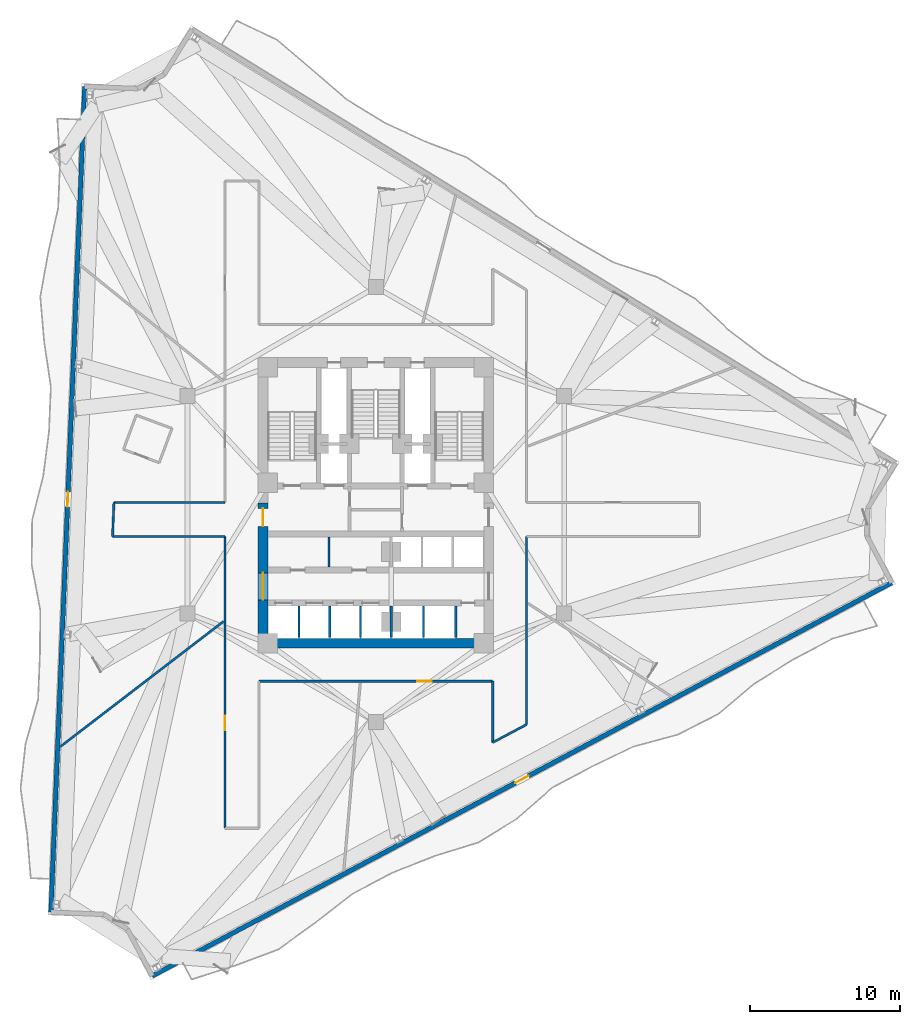
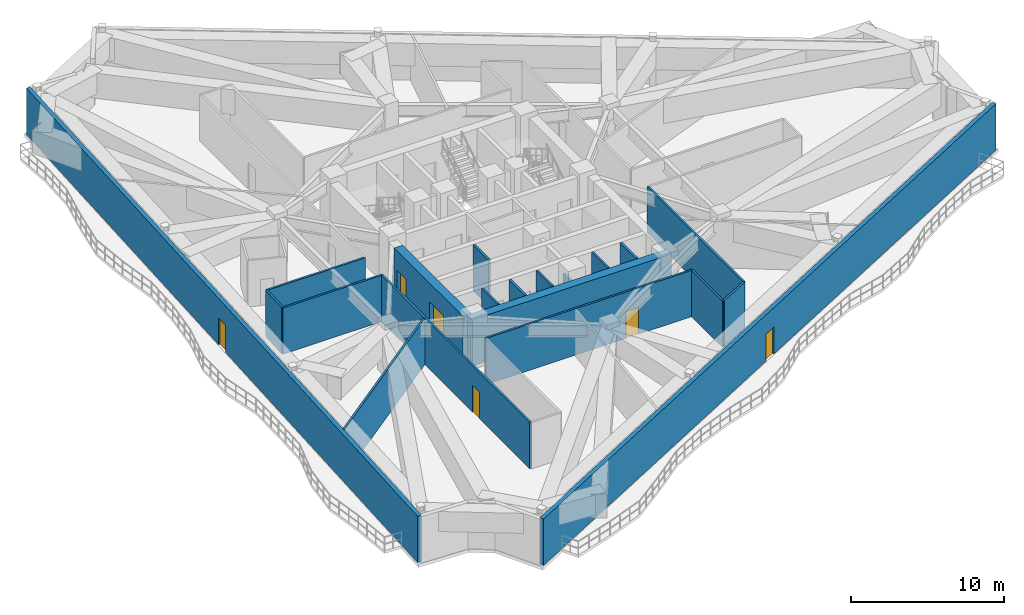
# One storey, part 8 of 14: 20 walls, 6 doors, 6 openings.
"""IFC4 building model written with IfcOpenShell, lengths in metres."""

from ifc_helpers import new_model, si_unit, direction, frame, frame_2d, origin, place, context, subcontext, project, spatial, rectangle, extrude, material, layer, layer_set, type_object, element, fill, save


model = new_model("IFC4")

# Units and contexts
model_context = context("Model", 3, precision=1e-05, world=origin(), true_north=direction((0.0, 1.0)))
body_context = subcontext(model_context, "Body", "Model", "MODEL_VIEW")
ifc_project = project(units=[si_unit("LENGTHUNIT", "METRE"), si_unit("AREAUNIT", "SQUARE_METRE"), si_unit("VOLUMEUNIT", "CUBIC_METRE"), si_unit("PLANEANGLEUNIT", "RADIAN"), si_unit("MASSUNIT", "GRAM", prefix="KILO")], contexts=[model_context])

# Site, building, storey
site_placement = place(None, origin())
site = spatial("IfcSite", under=ifc_project, at=site_placement, CompositionType="ELEMENT")
building_placement = place(site_placement, origin())
building = spatial("IfcBuilding", under=site, at=building_placement, Name="Apsidion Concourse Tower", CompositionType="ELEMENT")
storey_placement = place(building_placement, frame((0.0, 0.0, 190.10009765625)))
storey = spatial("IfcBuildingStorey", under=building, at=storey_placement, Name="L44", CompositionType="ELEMENT", Elevation=190.10009765625)

# Wall, opening, door
ifc_material_1 = material(Name="Precast concrete C40/50", Category="concrete")
ifc_layer_1 = layer(ifc_material_1, 0.300048828125)
ifc_layer_set_1 = layer_set([ifc_layer_1], Name="Precast concrete C40/50")
wall_type_1 = type_object("IfcWallType", Name="WL-EXT-300", PredefinedType="STANDARD", material=ifc_layer_set_1)
wall_1_placement = place(storey_placement, frame((34.398193359375, -5.216796875, 0.0), z_axis=(0.0, 0.0, 1.0), x_axis=(-0.88294811928, -0.469470572731, 0.0)))
wall_1 = element("IfcWall", 1, at=wall_1_placement, inside=storey, type_object=wall_type_1, Name="L44 Precast Stone Facade Wall 05", PredefinedType="STANDARD", context=body_context, shape_type="SweptSolid", body=[
    extrude(rectangle(XDim=55.845458984375, YDim=0.300048828125, at=frame_2d((27.9228515625, 0.0))), origin(), (0.0, 0.0, 1.0), 3.699951171875),
])
opening_1_placement = place(wall_1_placement, frame((27.422607421875, 0.0, 0.0)))
opening_1 = element("IfcOpeningElement", 2, at=opening_1_placement, cuts=wall_1, Name="Opening D-T1R", PredefinedType="OPENING", context=body_context, shape_type="SweptSolid", body=[
    extrude(rectangle(XDim=1.0, YDim=2.14990234375, at=frame_2d((0.5, 1.074951171875))), frame((0.0, 0.16015625, 0.0), z_axis=(0.0, -1.0, 0.0), x_axis=(1.0, 0.0, 0.0)), (0.0, 0.0, 1.0), 0.320068359375),
])
ifc_material_2 = material(Name="Anodised aluminium EN AW-6063 T6", Category="aluminium")
door_type_1 = type_object("IfcDoorType", Name="DR-TER-1022R", OperationType="SINGLE_SWING_RIGHT", PredefinedType="DOOR", material=ifc_material_2)
door_1_placement = place(opening_1_placement, origin())
door_1 = element("IfcDoor", 3, at=door_1_placement, inside=storey, type_object=door_type_1, Name="L44 Balcony Access Door 2", OperationType="SINGLE_SWING_RIGHT", OverallHeight=2.14990234375, OverallWidth=1.0, PredefinedType="DOOR", context=body_context, shape_type="SweptSolid", body=[
    extrude(rectangle(XDim=1.0, YDim=2.14990234375, at=frame_2d((0.5, 1.074951171875))), frame((0.0, 0.02490234375, 0.0), z_axis=(0.0, -1.0, 0.0), x_axis=(1.0, 0.0, 0.0)), (0.0, 0.0, 1.0), 0.050048828125),
])
fill(opening_1, door_1)

wall_2_placement = place(storey_placement, frame((-21.66748046875, -27.184326171875, 0.0), z_axis=(0.0, 0.0, 1.0), x_axis=(0.040813869681, 0.999166766882, 0.0)))
wall_2 = element("IfcWall", 4, at=wall_2_placement, inside=storey, type_object=wall_type_1, Name="L44 Precast Stone Facade Wall 09", PredefinedType="STANDARD", context=body_context, shape_type="SweptSolid", body=[
    extrude(rectangle(XDim=55.1103515625, YDim=0.300048828125, at=frame_2d((27.55517578125, 0.0))), origin(), (0.0, 0.0, 1.0), 3.699951171875),
])
opening_2_placement = place(wall_2_placement, frame((27.055419921875, 0.0, 0.0)))
opening_2 = element("IfcOpeningElement", 5, at=opening_2_placement, cuts=wall_2, Name="Opening D-T1L", PredefinedType="OPENING", context=body_context, shape_type="SweptSolid", body=[
    extrude(rectangle(XDim=1.0, YDim=2.14990234375, at=frame_2d((0.5, 1.074951171875))), frame((0.0, 0.16015625, 0.0), z_axis=(0.0, -1.0, 0.0), x_axis=(1.0, 0.0, 0.0)), (0.0, 0.0, 1.0), 0.320068359375),
])
door_type_2 = type_object("IfcDoorType", Name="DR-TER-1022L", OperationType="SINGLE_SWING_LEFT", PredefinedType="DOOR", material=ifc_material_2)
door_2_placement = place(opening_2_placement, origin())
door_2 = element("IfcDoor", 6, at=door_2_placement, inside=storey, type_object=door_type_2, Name="L44 Balcony Access Door 1", OperationType="SINGLE_SWING_LEFT", OverallHeight=2.14990234375, OverallWidth=1.0, PredefinedType="DOOR", context=body_context, shape_type="SweptSolid", body=[
    extrude(rectangle(XDim=1.0, YDim=2.14990234375, at=frame_2d((0.5, 1.074951171875))), frame((0.0, 0.02490234375, 0.0), z_axis=(0.0, -1.0, 0.0), x_axis=(1.0, 0.0, 0.0)), (0.0, 0.0, 1.0), 0.050048828125),
])
fill(opening_2, door_2)

# Walls
ifc_material_3 = material(Name="Gypsum plasterboard partition")
ifc_layer_2 = layer(ifc_material_3, 0.14990234375)
ifc_layer_set_2 = layer_set([ifc_layer_2], Name="Gypsum plasterboard partition")
wall_type_2 = type_object("IfcWallType", Name="WL-INT-PAR-150", PredefinedType="PARTITIONING", material=ifc_layer_set_2)
wall_3_placement = place(storey_placement, frame((-3.1201171875, -4.179931640625, 0.0), z_axis=(0.0, 0.0, 1.0), x_axis=(0.0, 1.0, 0.0)))
element("IfcWall", 7, at=wall_3_placement, inside=storey, type_object=wall_type_2, Name="L44 Interior Partition WL-L44-B1RV1", PredefinedType="PARTITIONING", context=body_context, shape_type="SweptSolid", body=[
    extrude(rectangle(XDim=2.030029296875, YDim=0.14990234375, at=frame_2d((1.01513671875, 0.0))), origin(), (0.0, 0.0, 1.0), 3.699951171875),
])
for number, where, z_axis, x_axis, name in (
    (8, (-5.125, -8.85009765625, 0.0), (0.0, 0.0, 1.0), (0.0, 1.0, 0.0), "L44 Interior Partition WL-L44-B2DIV-1"),
    (9, (-3.074951171875, -8.85009765625, 0.0), (0.0, 0.0, 1.0), (0.0, 1.0, 0.0), "L44 Interior Partition WL-L44-B2DIV-2"),
    (10, (-1.02490234375, -8.85009765625, 0.0), (0.0, 0.0, 1.0), (0.0, 1.0, 0.0), "L44 Interior Partition WL-L44-B2DIV-3"),
    (11, (3.175048828125, -8.85009765625, 0.0), (0.0, 0.0, 1.0), (0.0, 1.0, 0.0), "L44 Interior Partition WL-L44-SHDIV-1"),
):
    element("IfcWall", number, at=place(storey_placement, frame(where, z_axis=z_axis, x_axis=x_axis)), inside=storey, type_object=wall_type_2, Name=name, PredefinedType="PARTITIONING", context=body_context, shape_type="SweptSolid", body=[
        extrude(rectangle(XDim=2.080078125, YDim=0.14990234375, at=frame_2d((1.0400390625, 0.0))), origin(), (0.0, 0.0, 1.0), 3.699951171875),
    ])
wall_4_placement = place(storey_placement, frame((10.050048828125, -14.6689453125, 0.0), z_axis=(0.0, 0.0, 1.0), x_axis=(-0.88294894539, -0.469469019035, 0.0)))
element("IfcWall", 12, at=wall_4_placement, inside=storey, type_object=wall_type_2, Name="L44 Interior Partition WL-L44-CORR-01", PredefinedType="PARTITIONING", context=body_context, shape_type="SweptSolid", body=[
    extrude(rectangle(XDim=2.5595703125, YDim=0.14990234375, at=frame_2d((1.27978515625, 0.0))), origin(), (0.0, 0.0, 1.0), 3.699951171875),
])
wall_5_placement = place(storey_placement, frame((7.7900390625, -15.87060546875, 0.0), z_axis=(0.0, 0.0, 1.0), x_axis=(0.0, 1.0, 0.0)))
element("IfcWall", 13, at=wall_5_placement, inside=storey, type_object=wall_type_2, Name="L44 Interior Partition WL-L44-CORR-02", PredefinedType="PARTITIONING", context=body_context, shape_type="SweptSolid", body=[
    extrude(rectangle(XDim=4.095703125, YDim=0.14990234375, at=frame_2d((2.0478515625, 0.0))), origin(), (0.0, 0.0, 1.0), 3.699951171875),
])

# Wall, opening, door
wall_6_placement = place(storey_placement, frame((7.7900390625, -11.77490234375, 0.0), z_axis=(0.0, 0.0, 1.0), x_axis=(-1.0, 0.0, 0.0)))
wall_6 = element("IfcWall", 14, at=wall_6_placement, inside=storey, type_object=wall_type_2, Name="L44 Interior Partition WL-L44-CORR-03", PredefinedType="PARTITIONING", context=body_context, shape_type="SweptSolid", body=[
    extrude(rectangle(XDim=15.580078125, YDim=0.14990234375, at=frame_2d((7.7900390625, 0.0))), origin(), (0.0, 0.0, 1.0), 3.699951171875),
])
opening_3_placement = place(wall_6_placement, frame((4.066650390625, 0.0, 0.0)))
opening_3 = element("IfcOpeningElement", 15, at=opening_3_placement, cuts=wall_6, Name="Opening D-01L", PredefinedType="OPENING", context=body_context, shape_type="SweptSolid", body=[
    extrude(rectangle(XDim=0.949951171875, YDim=2.14990234375, at=frame_2d((0.47509765625, 1.074951171875))), frame((0.0, 0.0849609375, 0.0), z_axis=(0.0, -1.0, 0.0), x_axis=(1.0, 0.0, 0.0)), (0.0, 0.0, 1.0), 0.169921875),
])
ifc_material_4 = material(Name="Brushed stainless steel 316", Category="steel")
door_type_3 = type_object("IfcDoorType", Name="DR-INT-D01L", OperationType="SINGLE_SWING_LEFT", PredefinedType="DOOR", material=ifc_material_4)
door_3_placement = place(opening_3_placement, origin())
door_3 = element("IfcDoor", 16, at=door_3_placement, inside=storey, type_object=door_type_3, Name="L44 Corridor Entry Door 03", OperationType="SINGLE_SWING_LEFT", OverallHeight=2.14990234375, OverallWidth=0.949951171875, PredefinedType="DOOR", context=body_context, shape_type="SweptSolid", body=[
    extrude(rectangle(XDim=0.949951171875, YDim=2.14990234375, at=frame_2d((0.47509765625, 1.074951171875))), frame((0.0, 0.02490234375, 0.0), z_axis=(0.0, -1.0, 0.0), x_axis=(1.0, 0.0, 0.0)), (0.0, 0.0, 1.0), 0.050048828125),
])
fill(opening_3, door_3)

wall_7_placement = place(storey_placement, frame((-10.050048828125, -21.580078125, 0.0), z_axis=(0.0, 0.0, 1.0), x_axis=(0.0, 1.0, 0.0)))
wall_7 = element("IfcWall", 17, at=wall_7_placement, inside=storey, type_object=wall_type_2, Name="L44 Interior Partition WL-L44-CORR-06", PredefinedType="PARTITIONING", context=body_context, shape_type="SweptSolid", body=[
    extrude(rectangle(XDim=19.4501953125, YDim=0.14990234375, at=frame_2d((9.72509765625, 0.0))), origin(), (0.0, 0.0, 1.0), 3.699951171875),
])
opening_4_placement = place(wall_7_placement, frame((6.54443359375, 0.0, 0.0)))
opening_4 = element("IfcOpeningElement", 18, at=opening_4_placement, cuts=wall_7, Name="Opening D-01R", PredefinedType="OPENING", context=body_context, shape_type="SweptSolid", body=[
    extrude(rectangle(XDim=0.949951171875, YDim=2.14990234375, at=frame_2d((0.47509765625, 1.074951171875))), frame((0.0, 0.0849609375, 0.0), z_axis=(0.0, -1.0, 0.0), x_axis=(1.0, 0.0, 0.0)), (0.0, 0.0, 1.0), 0.169921875),
])
door_type_4 = type_object("IfcDoorType", Name="DR-INT-D01R", OperationType="SINGLE_SWING_RIGHT", PredefinedType="DOOR", material=ifc_material_4)
door_4_placement = place(opening_4_placement, origin())
door_4 = element("IfcDoor", 19, at=door_4_placement, inside=storey, type_object=door_type_4, Name="L44 Corridor Entry Door 02", OperationType="SINGLE_SWING_RIGHT", OverallHeight=2.14990234375, OverallWidth=0.949951171875, PredefinedType="DOOR", context=body_context, shape_type="SweptSolid", body=[
    extrude(rectangle(XDim=0.949951171875, YDim=2.14990234375, at=frame_2d((0.47509765625, 1.074951171875))), frame((0.0, 0.02490234375, 0.0), z_axis=(0.0, -1.0, 0.0), x_axis=(1.0, 0.0, 0.0)), (0.0, 0.0, 1.0), 0.050048828125),
])
fill(opening_4, door_4)

# Walls
wall_8_placement = place(storey_placement, frame((-10.050048828125, -2.1298828125, 0.0), z_axis=(0.0, 0.0, 1.0), x_axis=(-1.0, 0.0, 0.0)))
element("IfcWall", 20, at=wall_8_placement, inside=storey, type_object=wall_type_2, Name="L44 Interior Partition WL-L44-CORR-07", PredefinedType="PARTITIONING", context=body_context, shape_type="SweptSolid", body=[
    extrude(rectangle(XDim=7.50634765625, YDim=0.14990234375, at=frame_2d((3.753173828125, 0.0))), origin(), (0.0, 0.0, 1.0), 3.699951171875),
])
wall_9_placement = place(storey_placement, frame((-17.556396484375, -2.1298828125, 0.0), z_axis=(0.0, 0.0, 1.0), x_axis=(0.040804363078, 0.999167155162, 0.0)))
element("IfcWall", 21, at=wall_9_placement, inside=storey, type_object=wall_type_2, Name="L44 Interior Partition WL-L44-CORR-08", PredefinedType="PARTITIONING", context=body_context, shape_type="SweptSolid", body=[
    extrude(rectangle(XDim=2.26171875, YDim=0.14990234375, at=frame_2d((1.130859375, 0.0))), origin(), (0.0, 0.0, 1.0), 3.699951171875),
])
wall_10_placement = place(storey_placement, frame((-17.464111328125, 0.1298828125, 0.0), z_axis=(0.0, 0.0, 1.0), x_axis=(1.0, 0.0, 0.0)))
element("IfcWall", 22, at=wall_10_placement, inside=storey, type_object=wall_type_2, Name="L44 Interior Partition WL-L44-CORR-09", PredefinedType="PARTITIONING", context=body_context, shape_type="SweptSolid", body=[
    extrude(rectangle(XDim=7.4140625, YDim=0.14990234375, at=frame_2d((3.70703125, 0.0))), origin(), (0.0, 0.0, 1.0), 3.699951171875),
])
wall_11_placement = place(storey_placement, frame((10.050048828125, -2.1298828125, 0.0), z_axis=(0.0, 0.0, 1.0), x_axis=(0.0, -1.0, 0.0)))
element("IfcWall", 23, at=wall_11_placement, inside=storey, type_object=wall_type_2, Name="L44 Interior Partition WL-L44-CORR-20", PredefinedType="PARTITIONING", context=body_context, shape_type="SweptSolid", body=[
    extrude(rectangle(XDim=12.5390625, YDim=0.14990234375, at=frame_2d((6.26953125, 0.0))), origin(), (0.0, 0.0, 1.0), 3.699951171875),
])
wall_12_placement = place(storey_placement, frame((-10.155029296875, -7.792236328125, 0.0), z_axis=(0.0, 0.0, 1.0), x_axis=(-0.793354245585, -0.608760249205, 0.0)))
element("IfcWall", 24, at=wall_12_placement, inside=storey, type_object=wall_type_2, Name="L44 Interior Partition WL-L44-RAD-04-1", PredefinedType="PARTITIONING", context=body_context, shape_type="SweptSolid", body=[
    extrude(rectangle(XDim=13.735107421875, YDim=0.14990234375, at=frame_2d((6.86767578125, 0.0))), origin(), (0.0, 0.0, 1.0), 3.699951171875),
])
ifc_layer_3 = layer(ifc_material_3, 0.179931640625)
ifc_layer_set_3 = layer_set([ifc_layer_3], Name="Gypsum plasterboard partition")
wall_type_3 = type_object("IfcWallType", Name="WL-INT-PAR-180", PredefinedType="PARTITIONING", material=ifc_layer_set_3)
wall_13_placement = place(storey_placement, frame((1.02490234375, -8.85009765625, 0.0), z_axis=(0.0, 0.0, 1.0), x_axis=(0.0, 1.0, 0.0)))
element("IfcWall", 25, at=wall_13_placement, inside=storey, type_object=wall_type_3, Name="L44 Interior Partition WL-L44-B2END", PredefinedType="PARTITIONING", context=body_context, shape_type="SweptSolid", body=[
    extrude(rectangle(XDim=2.080078125, YDim=0.179931640625, at=frame_2d((1.0400390625, 0.0))), origin(), (0.0, 0.0, 1.0), 2.747802734375),
])
wall_14_placement = place(storey_placement, frame((5.324951171875, -8.85009765625, 0.0), z_axis=(0.0, 0.0, 1.0), x_axis=(0.0, 1.0, 0.0)))
element("IfcWall", 26, at=wall_14_placement, inside=storey, type_object=wall_type_3, Name="L44 Interior Partition WL-L44-SHDIV-2", PredefinedType="PARTITIONING", context=body_context, shape_type="SweptSolid", body=[
    extrude(rectangle(XDim=2.080078125, YDim=0.179931640625, at=frame_2d((1.0400390625, 0.0))), origin(), (0.0, 0.0, 1.0), 3.699951171875),
])

# Wall, openings, doors
ifc_material_5 = material(Name="Concrete C50/60", Category="concrete")
ifc_layer_4 = layer(ifc_material_5, 0.64990234375)
ifc_layer_set_4 = layer_set([ifc_layer_4], Name="Concrete C50/60")
wall_type_4 = type_object("IfcWallType", Name="WL-SH-650", PredefinedType="SHEAR", material=ifc_layer_set_4)
wall_15_placement = place(storey_placement, frame((-7.52490234375, -8.925048828125, 0.0), z_axis=(0.0, 0.0, 1.0), x_axis=(0.0, 1.0, 0.0)))
wall_15 = element("IfcWall", 27, at=wall_15_placement, inside=storey, type_object=wall_type_4, Name="L44 Central Core Shear Wall WS", PredefinedType="SHEAR", context=body_context, shape_type="SweptSolid", body=[
    extrude(rectangle(XDim=9.025146484375, YDim=0.64990234375, at=frame_2d((4.5126953125, 0.0))), origin(), (0.0, 0.0, 1.0), 3.699951171875),
])
opening_5_placement = place(wall_15_placement, frame((2.56494140625, 0.0, 0.0)))
opening_5 = element("IfcOpeningElement", 28, at=opening_5_placement, cuts=wall_15, Name="Opening D-06D", PredefinedType="OPENING", context=body_context, shape_type="SweptSolid", body=[
    extrude(rectangle(XDim=1.800048828125, YDim=2.199951171875, at=frame_2d((0.89990234375, 1.10009765625))), frame((0.0, 0.3349609375, 0.0), z_axis=(0.0, -1.0, 0.0), x_axis=(1.0, 0.0, 0.0)), (0.0, 0.0, 1.0), 0.669921875),
])
opening_6_placement = place(wall_15_placement, frame((7.47509765625, 0.0, 0.0)))
opening_6 = element("IfcOpeningElement", 29, at=opening_6_placement, cuts=wall_15, Name="Opening D-FFL", PredefinedType="OPENING", context=body_context, shape_type="SweptSolid", body=[
    extrude(rectangle(XDim=1.199951171875, YDim=2.14990234375, at=frame_2d((0.60009765625, 1.074951171875))), frame((0.0, 0.3349609375, 0.0), z_axis=(0.0, -1.0, 0.0), x_axis=(1.0, 0.0, 0.0)), (0.0, 0.0, 1.0), 0.669921875),
])
door_type_5 = type_object("IfcDoorType", Name="DR-INT-D06D", OperationType="DOUBLE_DOOR_SINGLE_SWING", PredefinedType="DOOR", material=ifc_material_4)
door_5_placement = place(opening_5_placement, origin())
door_5 = element("IfcDoor", 30, at=door_5_placement, inside=storey, type_object=door_type_5, Name="L44 Passenger Lift Lobby WS Portal Door", OperationType="DOUBLE_DOOR_SINGLE_SWING", OverallHeight=2.199951171875, OverallWidth=1.800048828125, PredefinedType="DOOR", context=body_context, shape_type="SweptSolid", body=[
    extrude(rectangle(XDim=1.800048828125, YDim=2.199951171875, at=frame_2d((0.89990234375, 1.10009765625))), frame((0.0, 0.02490234375, 0.0), z_axis=(0.0, -1.0, 0.0), x_axis=(1.0, 0.0, 0.0)), (0.0, 0.0, 1.0), 0.050048828125),
])
fill(opening_5, door_5)
door_type_6 = type_object("IfcDoorType", Name="DR-INT-FFL", OperationType="SINGLE_SWING_LEFT", PredefinedType="DOOR", material=ifc_material_4)
door_6_placement = place(opening_6_placement, origin())
door_6 = element("IfcDoor", 31, at=door_6_placement, inside=storey, type_object=door_type_6, Name="L44 Firefighting Lift Lobby FF1 Door", OperationType="SINGLE_SWING_LEFT", OverallHeight=2.14990234375, OverallWidth=1.199951171875, PredefinedType="DOOR", context=body_context, shape_type="SweptSolid", body=[
    extrude(rectangle(XDim=1.199951171875, YDim=2.14990234375, at=frame_2d((0.60009765625, 1.074951171875))), frame((0.0, 0.02490234375, 0.0), z_axis=(0.0, -1.0, 0.0), x_axis=(1.0, 0.0, 0.0)), (0.0, 0.0, 1.0), 0.050048828125),
])
fill(opening_6, door_6)

# Wall
wall_16_placement = place(storey_placement, frame((-7.52490234375, -9.25, 0.0), z_axis=(0.0, 0.0, 1.0), x_axis=(1.0, 0.0, 0.0)))
element("IfcWall", 32, at=wall_16_placement, inside=storey, type_object=wall_type_4, Name="L44 Central Core Shear Wall S", PredefinedType="SHEAR", context=body_context, shape_type="SweptSolid", body=[
    extrude(rectangle(XDim=15.0498046875, YDim=0.64990234375, at=frame_2d((7.52490234375, 0.0))), origin(), (0.0, 0.0, 1.0), 3.699951171875),
])

save(model, "model.ifc")
